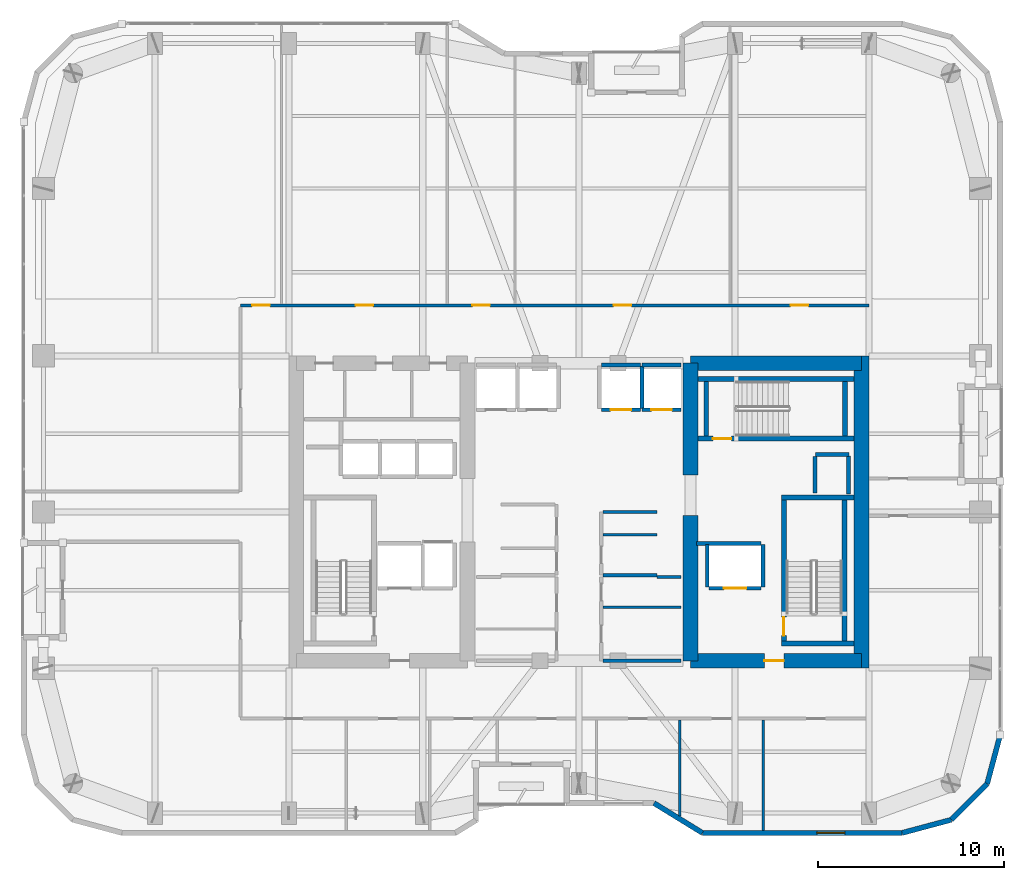
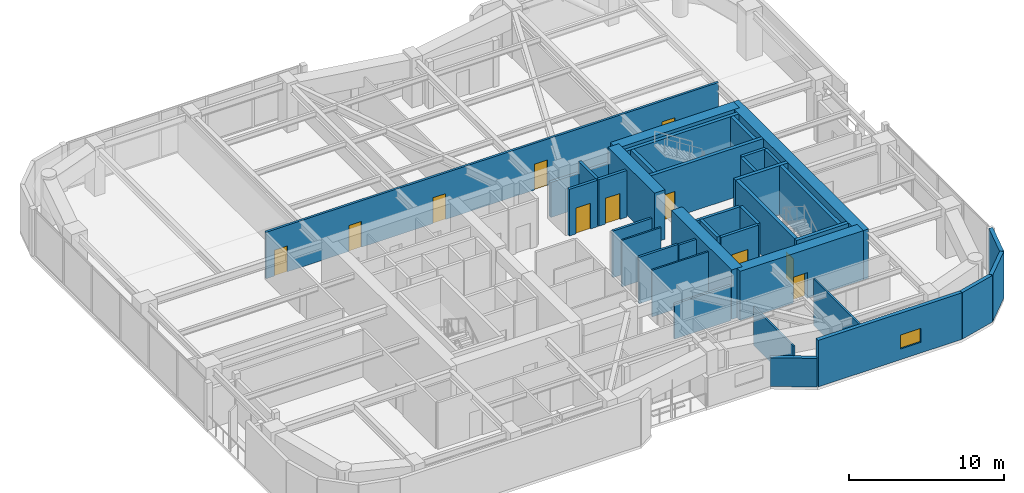
# One storey, part 26 of 30: 39 walls, 11 doors, 1 window, 12 openings.
"""IFC4 building model written with IfcOpenShell, lengths in metres."""

from ifc_helpers import new_model, si_unit, direction, frame, frame_2d, origin, place, context, subcontext, project, spatial, rectangle, extrude, material, layer, layer_set, type_object, element, fill, save


model = new_model("IFC4")

# Units and contexts
model_context = context("Model", 3, precision=1e-05, world=origin(), true_north=direction((0.0, 1.0)))
body_context = subcontext(model_context, "Body", "Model", "MODEL_VIEW")
ifc_project = project(units=[si_unit("LENGTHUNIT", "METRE"), si_unit("AREAUNIT", "SQUARE_METRE"), si_unit("VOLUMEUNIT", "CUBIC_METRE"), si_unit("PLANEANGLEUNIT", "RADIAN"), si_unit("MASSUNIT", "GRAM", prefix="KILO")], contexts=[model_context])

# Site, building, storey
site_placement = place(None, origin())
site = spatial("IfcSite", under=ifc_project, at=site_placement, CompositionType="ELEMENT")
building_placement = place(site_placement, origin())
building = spatial("IfcBuilding", under=site, at=building_placement, Name="Kiyonajd Concourse Tower", CompositionType="ELEMENT")
storey_placement = place(building_placement, frame((0.0, 0.0, 162.300048828125)))
storey = spatial("IfcBuildingStorey", under=building, at=storey_placement, Name="L41", CompositionType="ELEMENT", Elevation=162.300048828125)

# Walls
ifc_material_1 = material(Name="Concrete C70/85", Category="concrete")
ifc_layer_1 = layer(ifc_material_1, 0.800048828125)
ifc_layer_set_1 = layer_set([ifc_layer_1], Name="Concrete C70/85")
wall_type_1 = type_object("IfcWallType", Name="WL-CORE-800", PredefinedType="SHEAR", material=ifc_layer_set_1)
wall_1_placement = place(storey_placement, frame((54.0, 28.0, 0.0), z_axis=(0.0, 0.0, 1.0), x_axis=(0.0, 1.0, 0.0)))
element("IfcWall", 1, at=wall_1_placement, inside=storey, type_object=wall_type_1, Name="L41 East Core Inner South Shear Wall", PredefinedType="SHEAR", context=body_context, shape_type="SweptSolid", body=[
    extrude(rectangle(XDim=7.800048828125, YDim=0.800048828125, at=frame_2d((3.89990234375, 0.0))), origin(), (0.0, 0.0, 1.0), 3.89990234375),
])
wall_2_placement = place(storey_placement, frame((54.0, 38.0, 0.0), z_axis=(0.0, 0.0, 1.0), x_axis=(0.0, 1.0, 0.0)))
element("IfcWall", 2, at=wall_2_placement, inside=storey, type_object=wall_type_1, Name="L41 East Core Inner North Shear Wall", PredefinedType="SHEAR", context=body_context, shape_type="SweptSolid", body=[
    extrude(rectangle(XDim=6.0, YDim=0.800048828125, at=frame_2d((3.0, 0.0))), origin(), (0.0, 0.0, 1.0), 3.89990234375),
])
wall_3_placement = place(storey_placement, frame((63.199951171875, 27.60009765625, 0.0), z_axis=(0.0, 0.0, 1.0), x_axis=(0.0, 1.0, 0.0)))
element("IfcWall", 3, at=wall_3_placement, inside=storey, type_object=wall_type_1, Name="L41 East Core Outer Shear Wall", PredefinedType="SHEAR", context=body_context, shape_type="SweptSolid", body=[
    extrude(rectangle(XDim=16.7998046875, YDim=0.800048828125, at=frame_2d((8.39990234375, 0.0))), origin(), (0.0, 0.0, 1.0), 3.89990234375),
])

# Wall, opening, door
wall_4_placement = place(storey_placement, frame((54.0, 28.0, 0.0), z_axis=(0.0, 0.0, 1.0), x_axis=(1.0, 0.0, 0.0)))
wall_4 = element("IfcWall", 4, at=wall_4_placement, inside=storey, type_object=wall_type_1, Name="L41 East Core South Shear Wall", PredefinedType="SHEAR", context=body_context, shape_type="SweptSolid", body=[
    extrude(rectangle(XDim=9.199951171875, YDim=0.800048828125, at=frame_2d((4.60009765625, 0.0))), origin(), (0.0, 0.0, 1.0), 3.89990234375),
])
opening_1_placement = place(wall_4_placement, frame((3.97509765625, 0.0, 0.0)))
opening_1 = element("IfcOpeningElement", 5, at=opening_1_placement, cuts=wall_4, Name="Opening DF5", PredefinedType="OPENING", context=body_context, shape_type="SweptSolid", body=[
    extrude(rectangle(XDim=1.050048828125, YDim=2.0400390625, at=frame_2d((0.52490234375, 1.02001953125))), frame((0.0, 0.409912109375, 0.0), z_axis=(0.0, -1.0, 0.0), x_axis=(1.0, 0.0, 0.0)), (0.0, 0.0, 1.0), 0.820068359375),
])
ifc_material_2 = material(Name="Brushed Stainless Steel Cab Assembly", Category="steel")
door_type_1 = type_object("IfcDoorType", Name="DR-FD45-1050", OperationType="NOTDEFINED", PredefinedType="DOOR", material=ifc_material_2)
door_1_placement = place(opening_1_placement, origin())
door_1 = element("IfcDoor", 6, at=door_1_placement, inside=storey, type_object=door_type_1, Name="L41 Firefighting Lift Lobby E Smoke Door", OperationType="SINGLE_SWING_RIGHT", OverallHeight=2.0400390625, OverallWidth=1.050048828125, PredefinedType="DOOR", context=body_context, shape_type="SweptSolid", body=[
    extrude(rectangle(XDim=1.050048828125, YDim=2.0400390625, at=frame_2d((0.52490234375, 1.02001953125))), frame((0.0, 0.02490234375, 0.0), z_axis=(0.0, -1.0, 0.0), x_axis=(1.0, 0.0, 0.0)), (0.0, 0.0, 1.0), 0.050048828125),
])
fill(opening_1, door_1)

# Walls
wall_5_placement = place(storey_placement, frame((54.0, 44.0, 0.0), z_axis=(0.0, 0.0, 1.0), x_axis=(1.0, 0.0, 0.0)))
element("IfcWall", 7, at=wall_5_placement, inside=storey, type_object=wall_type_1, Name="L41 East Core North Shear Wall", PredefinedType="SHEAR", context=body_context, shape_type="SweptSolid", body=[
    extrude(rectangle(XDim=9.199951171875, YDim=0.800048828125, at=frame_2d((4.60009765625, 0.0))), origin(), (0.0, 0.0, 1.0), 3.89990234375),
])
ifc_material_3 = material(Name="Precast concrete C50/60", Category="concrete")
ifc_layer_2 = layer(ifc_material_3, 0.280029296875)
ifc_layer_set_2 = layer_set([ifc_layer_2], Name="Precast concrete C50/60")
wall_type_2 = type_object("IfcWallType", Name="WL-EXT-280", PredefinedType="SOLIDWALL", material=ifc_layer_set_2)
wall_6_placement = place(storey_placement, frame((70.659912109375, 24.018310546875, 0.0), z_axis=(0.0, 0.0, 1.0), x_axis=(-0.258672222976, -0.9659651552, 0.0)))
element("IfcWall", 8, at=wall_6_placement, inside=storey, type_object=wall_type_2, Name="L41 Exterior Concrete Frame Wall 25", PredefinedType="SOLIDWALL", context=body_context, shape_type="SweptSolid", body=[
    extrude(rectangle(XDim=2.739013671875, YDim=0.280029296875, at=frame_2d((1.36962890625, 0.0))), origin(), (0.0, 0.0, 1.0), 3.679931640625),
])
wall_7_placement = place(storey_placement, frame((69.951416015625, 21.37255859375, 0.0), z_axis=(0.0, 0.0, 1.0), x_axis=(-0.707061915429, -0.707151644098, 0.0)))
element("IfcWall", 9, at=wall_7_placement, inside=storey, type_object=wall_type_2, Name="L41 Exterior Concrete Frame Wall 26", PredefinedType="SOLIDWALL", context=body_context, shape_type="SweptSolid", body=[
    extrude(rectangle(XDim=2.720947265625, YDim=0.280029296875, at=frame_2d((1.3603515625, 0.0))), origin(), (0.0, 0.0, 1.0), 3.679931640625),
])
wall_8_placement = place(storey_placement, frame((68.027587890625, 19.448486328125, 0.0), z_axis=(0.0, 0.0, 1.0), x_axis=(-0.965971118627, -0.258649952598, 0.0)))
element("IfcWall", 10, at=wall_8_placement, inside=storey, type_object=wall_type_2, Name="L41 Exterior Concrete Frame Wall 27", PredefinedType="SOLIDWALL", context=body_context, shape_type="SweptSolid", body=[
    extrude(rectangle(XDim=2.7392578125, YDim=0.280029296875, at=frame_2d((1.36962890625, 0.0))), origin(), (0.0, 0.0, 1.0), 3.679931640625),
])

# Wall, opening, window
wall_9_placement = place(storey_placement, frame((65.381591796875, 18.739990234375, 0.0), z_axis=(0.0, 0.0, 1.0), x_axis=(-1.0, 0.0, 0.0)))
wall_9 = element("IfcWall", 11, at=wall_9_placement, inside=storey, type_object=wall_type_2, Name="L41 Exterior Concrete Frame Wall 28", PredefinedType="SOLIDWALL", context=body_context, shape_type="SweptSolid", body=[
    extrude(rectangle(XDim=10.741943359375, YDim=0.280029296875, at=frame_2d((5.37109375, 0.0))), origin(), (0.0, 0.0, 1.0), 3.679931640625),
])
opening_2_placement = place(wall_9_placement, frame((3.0810546875, 0.0, 0.85009765625)))
opening_2 = element("IfcOpeningElement", 12, at=opening_2_placement, cuts=wall_9, Name="Opening WN2", PredefinedType="OPENING", context=body_context, shape_type="SweptSolid", body=[
    extrude(rectangle(XDim=1.5, YDim=1.10009765625, at=frame_2d((0.75, 0.550048828125))), frame((0.0, 0.14990234375, 0.0), z_axis=(0.0, -1.0, 0.0), x_axis=(1.0, 0.0, 0.0)), (0.0, 0.0, 1.0), 0.300048828125),
])
ifc_material_4 = material(Name="Double Low-E Insulated Glass", Category="glass")
window_type = type_object("IfcWindowType", Name="WN-VIS-1500x1100", PartitioningType="SINGLE_PANEL", PredefinedType="WINDOW", material=ifc_material_4)
window_placement = place(opening_2_placement, origin())
window = element("IfcWindow", 13, at=window_placement, inside=storey, type_object=window_type, Name="L41 Modular Facade Vision Window 28", OverallHeight=1.10009765625, OverallWidth=1.5, PartitioningType="SINGLE_PANEL", PredefinedType="WINDOW", context=body_context, shape_type="SweptSolid", body=[
    extrude(rectangle(XDim=1.5, YDim=1.10009765625, at=frame_2d((0.75, 0.550048828125))), frame((0.0, 0.030029296875, 0.0), z_axis=(0.0, -1.0, 0.0), x_axis=(1.0, 0.0, 0.0)), (0.0, 0.0, 1.0), 0.06005859375),
])
fill(opening_2, window)

# Walls
wall_10_placement = place(storey_placement, frame((54.6396484375, 18.739990234375, 0.0), z_axis=(0.0, 0.0, 1.0), x_axis=(-0.851652825334, 0.524106349037, 0.0)))
element("IfcWall", 14, at=wall_10_placement, inside=storey, type_object=wall_type_2, Name="L41 Exterior Concrete Frame Wall 29", PredefinedType="SOLIDWALL", context=body_context, shape_type="SweptSolid", body=[
    extrude(rectangle(XDim=3.052978515625, YDim=0.280029296875, at=frame_2d((1.5263671875, 0.0))), origin(), (0.0, 0.0, 1.0), 2.264892578125),
])
ifc_material_5 = material(Name="Gypsum Board on Cold-Formed Steel Stud", Category="steel")
ifc_layer_3 = layer(ifc_material_5, 0.125)
ifc_layer_set_3 = layer_set([ifc_layer_3], Name="Gypsum Board on Cold-Formed Steel Stud")
wall_type_3 = type_object("IfcWallType", Name="WL-PART-125", PredefinedType="PARTITIONING", material=ifc_layer_set_3)
wall_11_placement = place(storey_placement, frame((49.287109375, 34.77587890625, 0.0), z_axis=(0.0, 0.0, 1.0), x_axis=(1.0, 0.0, 0.0)))
element("IfcWall", 15, at=wall_11_placement, inside=storey, type_object=wall_type_3, Name="L41 Interior Partition Wall", PredefinedType="PARTITIONING", context=body_context, shape_type="SweptSolid", body=[
    extrude(rectangle(XDim=2.912841796875, YDim=0.125, at=frame_2d((1.45654296875, 0.0))), origin(), (0.0, 0.0, 1.0), 3.679931640625),
])
wall_12_placement = place(storey_placement, frame((49.287109375, 30.8798828125, 0.0), z_axis=(0.0, 0.0, 1.0), x_axis=(1.0, 0.0, 0.0)))
element("IfcWall", 16, at=wall_12_placement, inside=storey, type_object=wall_type_3, Name="L41 Interior Partition Wall", PredefinedType="PARTITIONING", context=body_context, shape_type="SweptSolid", body=[
    extrude(rectangle(XDim=4.212890625, YDim=0.125, at=frame_2d((2.1064453125, 0.0))), origin(), (0.0, 0.0, 1.0), 3.679931640625),
])
wall_13_placement = place(storey_placement, frame((53.429931640625, 19.653076171875, 0.0), z_axis=(0.0, 0.0, 1.0), x_axis=(0.0, 1.0, 0.0)))
element("IfcWall", 17, at=wall_13_placement, inside=storey, type_object=wall_type_3, Name="L41 Interior Partition Wall", PredefinedType="PARTITIONING", context=body_context, shape_type="SweptSolid", body=[
    extrude(rectangle(XDim=5.14990234375, YDim=0.125, at=frame_2d((2.574951171875, 0.0))), origin(), (0.0, 0.0, 1.0), 3.04296875),
])
wall_14_placement = place(storey_placement, frame((57.909912109375, 18.875, 0.0), z_axis=(0.0, 0.0, 1.0), x_axis=(0.0, 1.0, 0.0)))
element("IfcWall", 18, at=wall_14_placement, inside=storey, type_object=wall_type_3, Name="L41 Interior Partition Wall", PredefinedType="PARTITIONING", context=body_context, shape_type="SweptSolid", body=[
    extrude(rectangle(XDim=5.927978515625, YDim=0.125, at=frame_2d((2.9638671875, 0.0))), origin(), (0.0, 0.0, 1.0), 3.679931640625),
])
ifc_layer_4 = layer(ifc_material_5, 0.2099609375)
ifc_layer_set_4 = layer_set([ifc_layer_4], Name="Gypsum Board on Cold-Formed Steel Stud")
wall_type_4 = type_object("IfcWallType", Name="WL-SHAFT-210", PredefinedType="PARTITIONING", material=ifc_layer_set_4)
wall_15_placement = place(storey_placement, frame((60.719970703125, 39.10009765625, 0.0), z_axis=(0.0, 0.0, 1.0), x_axis=(1.0, 0.0, 0.0)))
element("IfcWall", 19, at=wall_15_placement, inside=storey, type_object=wall_type_4, Name="L41 Shaft Enclosure Wall", PredefinedType="PARTITIONING", context=body_context, shape_type="SweptSolid", body=[
    extrude(rectangle(XDim=1.800048828125, YDim=0.2099609375, at=frame_2d((0.89990234375, 0.0))), origin(), (0.0, 0.0, 1.0), 3.679931640625),
])
wall_16_placement = place(storey_placement, frame((60.699951171875, 37.02001953125, 0.0), z_axis=(0.0, 0.0, 1.0), x_axis=(0.0, 1.0, 0.0)))
element("IfcWall", 20, at=wall_16_placement, inside=storey, type_object=wall_type_4, Name="L41 Shaft Enclosure Wall", PredefinedType="PARTITIONING", context=body_context, shape_type="SweptSolid", body=[
    extrude(rectangle(XDim=1.9599609375, YDim=0.2099609375, at=frame_2d((0.97998046875, 0.0))), origin(), (0.0, 0.0, 1.0), 3.679931640625),
])
wall_17_placement = place(storey_placement, frame((62.5, 36.97998046875, 0.0), z_axis=(0.0, 0.0, 1.0), x_axis=(0.0, 1.0, 0.0)))
element("IfcWall", 21, at=wall_17_placement, inside=storey, type_object=wall_type_4, Name="L41 Shaft Enclosure Wall", PredefinedType="PARTITIONING", context=body_context, shape_type="SweptSolid", body=[
    extrude(rectangle(XDim=2.0400390625, YDim=0.2099609375, at=frame_2d((1.02001953125, 0.0))), origin(), (0.0, 0.0, 1.0), 3.679931640625),
])

# Wall, opening, door
wall_18_placement = place(storey_placement, frame((55.0, 31.89990234375, 0.0), z_axis=(0.0, 0.0, 1.0), x_axis=(1.0, 0.0, 0.0)))
wall_18 = element("IfcWall", 22, at=wall_18_placement, inside=storey, type_object=wall_type_4, Name="L41 Shaft Enclosure Wall", PredefinedType="PARTITIONING", context=body_context, shape_type="SweptSolid", body=[
    extrude(rectangle(XDim=2.800048828125, YDim=0.2099609375, at=frame_2d((1.39990234375, 0.0))), origin(), (0.0, 0.0, 1.0), 3.679931640625),
])
opening_3_placement = place(wall_18_placement, frame((0.800048828125, 0.0, 0.0)))
opening_3 = element("IfcOpeningElement", 23, at=opening_3_placement, cuts=wall_18, Name="Opening LD2", PredefinedType="OPENING", context=body_context, shape_type="SweptSolid", body=[
    extrude(rectangle(XDim=1.199951171875, YDim=2.0400390625, at=frame_2d((0.60009765625, 1.02001953125))), frame((0.0, 0.114990234375, 0.0), z_axis=(0.0, -1.0, 0.0), x_axis=(1.0, 0.0, 0.0)), (0.0, 0.0, 1.0), 0.22998046875),
])
door_type_2 = type_object("IfcDoorType", Name="DR-LD-1200", OperationType="DOUBLE_DOOR_SLIDING", PredefinedType="DOOR", material=ifc_material_2)
door_2_placement = place(opening_3_placement, origin())
door_2 = element("IfcDoor", 24, at=door_2_placement, inside=storey, type_object=door_type_2, Name="L41 Lift FFL2 Sliding Landing Door", OperationType="DOUBLE_DOOR_SLIDING", OverallHeight=2.0400390625, OverallWidth=1.199951171875, PredefinedType="DOOR", context=body_context, shape_type="SweptSolid", body=[
    extrude(rectangle(XDim=1.199951171875, YDim=2.0400390625, at=frame_2d((0.60009765625, 1.02001953125))), frame((0.0, 0.02490234375, 0.0), z_axis=(0.0, -1.0, 0.0), x_axis=(1.0, 0.0, 0.0)), (0.0, 0.0, 1.0), 0.050048828125),
])
fill(opening_3, door_2)

# Walls
wall_19_placement = place(storey_placement, frame((54.320068359375, 34.300048828125, 0.0), z_axis=(0.0, 0.0, 1.0), x_axis=(1.0, 0.0, 0.0)))
element("IfcWall", 25, at=wall_19_placement, inside=storey, type_object=wall_type_4, Name="L41 Shaft Enclosure Wall", PredefinedType="PARTITIONING", context=body_context, shape_type="SweptSolid", body=[
    extrude(rectangle(XDim=3.47998046875, YDim=0.2099609375, at=frame_2d((1.739990234375, 0.0))), origin(), (0.0, 0.0, 1.0), 3.679931640625),
])
for number, where, z_axis, x_axis, name in (
    (26, (54.89990234375, 31.9599609375, 0.0), (0.0, 0.0, 1.0), (0.0, 1.0, 0.0), "L41 Shaft Enclosure Wall"),
    (27, (57.89990234375, 31.9599609375, 0.0), (0.0, 0.0, 1.0), (0.0, 1.0, 0.0), "L41 Shaft Enclosure Wall"),
):
    element("IfcWall", number, at=place(storey_placement, frame(where, z_axis=z_axis, x_axis=x_axis)), inside=storey, type_object=wall_type_4, Name=name, PredefinedType="PARTITIONING", context=body_context, shape_type="SweptSolid", body=[
        extrude(rectangle(XDim=2.280029296875, YDim=0.2099609375, at=frame_2d((1.14013671875, 0.0))), origin(), (0.0, 0.0, 1.0), 3.679931640625),
    ])

# Wall, opening, door
wall_20_placement = place(storey_placement, frame((49.199951171875, 41.5, 0.0), z_axis=(0.0, 0.0, 1.0), x_axis=(1.0, 0.0, 0.0)))
wall_20 = element("IfcWall", 28, at=wall_20_placement, inside=storey, type_object=wall_type_4, Name="L41 Shaft Enclosure Wall", PredefinedType="PARTITIONING", context=body_context, shape_type="SweptSolid", body=[
    extrude(rectangle(XDim=2.10009765625, YDim=0.2099609375, at=frame_2d((1.050048828125, 0.0))), origin(), (0.0, 0.0, 1.0), 3.679931640625),
])
opening_4_placement = place(wall_20_placement, frame((0.5, 0.0, 0.0)))
opening_4 = element("IfcOpeningElement", 29, at=opening_4_placement, cuts=wall_20, Name="Opening LD1", PredefinedType="OPENING", context=body_context, shape_type="SweptSolid", body=[
    extrude(rectangle(XDim=1.10009765625, YDim=2.0400390625, at=frame_2d((0.550048828125, 1.02001953125))), frame((0.0, 0.114990234375, 0.0), z_axis=(0.0, -1.0, 0.0), x_axis=(1.0, 0.0, 0.0)), (0.0, 0.0, 1.0), 0.22998046875),
])
door_type_3 = type_object("IfcDoorType", Name="DR-LD-1100", OperationType="DOUBLE_DOOR_SLIDING", PredefinedType="DOOR", material=ifc_material_2)
door_3_placement = place(opening_4_placement, origin())
door_3 = element("IfcDoor", 30, at=door_3_placement, inside=storey, type_object=door_type_3, Name="L41 Lift PL-M3 Sliding Landing Door", OperationType="DOUBLE_DOOR_SLIDING", OverallHeight=2.0400390625, OverallWidth=1.10009765625, PredefinedType="DOOR", context=body_context, shape_type="SweptSolid", body=[
    extrude(rectangle(XDim=1.10009765625, YDim=2.0400390625, at=frame_2d((0.550048828125, 1.02001953125))), frame((0.0, 0.02490234375, 0.0), z_axis=(0.0, -1.0, 0.0), x_axis=(1.0, 0.0, 0.0)), (0.0, 0.0, 1.0), 0.050048828125),
])
fill(opening_4, door_3)

# Walls
wall_21_placement = place(storey_placement, frame((49.199951171875, 43.89990234375, 0.0), z_axis=(0.0, 0.0, 1.0), x_axis=(1.0, 0.0, 0.0)))
element("IfcWall", 31, at=wall_21_placement, inside=storey, type_object=wall_type_4, Name="L41 Shaft Enclosure Wall", PredefinedType="PARTITIONING", context=body_context, shape_type="SweptSolid", body=[
    extrude(rectangle(XDim=2.10009765625, YDim=0.2099609375, at=frame_2d((1.050048828125, 0.0))), origin(), (0.0, 0.0, 1.0), 2.764892578125),
])
wall_22_placement = place(storey_placement, frame((51.39990234375, 41.56005859375, 0.0), z_axis=(0.0, 0.0, 1.0), x_axis=(0.0, 1.0, 0.0)))
element("IfcWall", 32, at=wall_22_placement, inside=storey, type_object=wall_type_4, Name="L41 Shaft Enclosure Wall", PredefinedType="PARTITIONING", context=body_context, shape_type="SweptSolid", body=[
    extrude(rectangle(XDim=2.280029296875, YDim=0.2099609375, at=frame_2d((1.14013671875, 0.0))), origin(), (0.0, 0.0, 1.0), 3.679931640625),
])

# Wall, opening, door
wall_23_placement = place(storey_placement, frame((51.39990234375, 41.5, 0.0), z_axis=(0.0, 0.0, 1.0), x_axis=(1.0, 0.0, 0.0)))
wall_23 = element("IfcWall", 33, at=wall_23_placement, inside=storey, type_object=wall_type_4, Name="L41 Shaft Enclosure Wall", PredefinedType="PARTITIONING", context=body_context, shape_type="SweptSolid", body=[
    extrude(rectangle(XDim=2.10009765625, YDim=0.2099609375, at=frame_2d((1.050048828125, 0.0))), origin(), (0.0, 0.0, 1.0), 3.679931640625),
])
opening_5_placement = place(wall_23_placement, frame((0.5, 0.0, 0.0)))
opening_5 = element("IfcOpeningElement", 34, at=opening_5_placement, cuts=wall_23, Name="Opening LD1", PredefinedType="OPENING", context=body_context, shape_type="SweptSolid", body=[
    extrude(rectangle(XDim=1.10009765625, YDim=2.0400390625, at=frame_2d((0.550048828125, 1.02001953125))), frame((0.0, 0.114990234375, 0.0), z_axis=(0.0, -1.0, 0.0), x_axis=(1.0, 0.0, 0.0)), (0.0, 0.0, 1.0), 0.22998046875),
])
door_4_placement = place(opening_5_placement, origin())
door_4 = element("IfcDoor", 35, at=door_4_placement, inside=storey, type_object=door_type_3, Name="L41 Lift PL-M4 Sliding Landing Door", OperationType="DOUBLE_DOOR_SLIDING", OverallHeight=2.0400390625, OverallWidth=1.10009765625, PredefinedType="DOOR", context=body_context, shape_type="SweptSolid", body=[
    extrude(rectangle(XDim=1.10009765625, YDim=2.0400390625, at=frame_2d((0.550048828125, 1.02001953125))), frame((0.0, 0.02490234375, 0.0), z_axis=(0.0, -1.0, 0.0), x_axis=(1.0, 0.0, 0.0)), (0.0, 0.0, 1.0), 0.050048828125),
])
fill(opening_5, door_4)

# Walls
wall_24_placement = place(storey_placement, frame((51.39990234375, 43.89990234375, 0.0), z_axis=(0.0, 0.0, 1.0), x_axis=(1.0, 0.0, 0.0)))
element("IfcWall", 36, at=wall_24_placement, inside=storey, type_object=wall_type_4, Name="L41 Shaft Enclosure Wall", PredefinedType="PARTITIONING", context=body_context, shape_type="SweptSolid", body=[
    extrude(rectangle(XDim=2.10009765625, YDim=0.2099609375, at=frame_2d((1.050048828125, 0.0))), origin(), (0.0, 0.0, 1.0), 2.764892578125),
])
ifc_layer_5 = layer(ifc_material_5, 0.169921875)
ifc_layer_set_5 = layer_set([ifc_layer_5], Name="Gypsum Board on Cold-Formed Steel Stud")
wall_type_5 = type_object("IfcWallType", Name="WL-SMK-170", PredefinedType="PARTITIONING", material=ifc_layer_set_5)
for number, where, z_axis, x_axis, name in (
    (37, (49.287109375, 32.60009765625, 0.0), (0.0, 0.0, 1.0), (1.0, 0.0, 0.0), "L41 Interior Partition Wall"),
    (38, (49.287109375, 36.0, 0.0), (0.0, 0.0, 1.0), (1.0, 0.0, 0.0), "L41 Interior Partition Wall"),
):
    element("IfcWall", number, at=place(storey_placement, frame(where, z_axis=z_axis, x_axis=x_axis)), inside=storey, type_object=wall_type_5, Name=name, PredefinedType="PARTITIONING", context=body_context, shape_type="SweptSolid", body=[
        extrude(rectangle(XDim=2.912841796875, YDim=0.169921875, at=frame_2d((1.45654296875, 0.0))), origin(), (0.0, 0.0, 1.0), 3.679931640625),
    ])
wall_25_placement = place(storey_placement, frame((49.287109375, 28.0, 0.0), z_axis=(0.0, 0.0, 1.0), x_axis=(1.0, 0.0, 0.0)))
element("IfcWall", 39, at=wall_25_placement, inside=storey, type_object=wall_type_5, Name="L41 Interior Partition Wall", PredefinedType="PARTITIONING", context=body_context, shape_type="SweptSolid", body=[
    extrude(rectangle(XDim=4.212890625, YDim=0.169921875, at=frame_2d((2.1064453125, 0.0))), origin(), (0.0, 0.0, 1.0), 2.764892578125),
])
wall_26_placement = place(storey_placement, frame((52.199951171875, 32.5, 0.0), z_axis=(0.0, 0.0, 1.0), x_axis=(1.0, 0.0, 0.0)))
element("IfcWall", 40, at=wall_26_placement, inside=storey, type_object=wall_type_5, Name="L41 Interior Partition Wall", PredefinedType="PARTITIONING", context=body_context, shape_type="SweptSolid", body=[
    extrude(rectangle(XDim=1.300048828125, YDim=0.169921875, at=frame_2d((0.64990234375, 0.0))), origin(), (0.0, 0.0, 1.0), 3.679931640625),
])

# Wall, openings, doors
wall_27_placement = place(storey_placement, frame((29.800048828125, 47.110107421875, 0.0), z_axis=(0.0, 0.0, 1.0), x_axis=(1.0, 0.0, 0.0)))
wall_27 = element("IfcWall", 41, at=wall_27_placement, inside=storey, type_object=wall_type_5, Name="L41 Interior Partition Wall", PredefinedType="PARTITIONING", context=body_context, shape_type="SweptSolid", body=[
    extrude(rectangle(XDim=33.800048828125, YDim=0.169921875, at=frame_2d((16.89990234375, 0.0))), origin(), (0.0, 0.0, 1.0), 3.679931640625),
])
opening_6_placement = place(wall_27_placement, frame((0.625, 0.0, 0.0)))
opening_6 = element("IfcOpeningElement", 42, at=opening_6_placement, cuts=wall_27, Name="Opening DI1", PredefinedType="OPENING", context=body_context, shape_type="SweptSolid", body=[
    extrude(rectangle(XDim=0.949951171875, YDim=2.0400390625, at=frame_2d((0.47509765625, 1.02001953125))), frame((0.0, 0.094970703125, 0.0), z_axis=(0.0, -1.0, 0.0), x_axis=(1.0, 0.0, 0.0)), (0.0, 0.0, 1.0), 0.18994140625),
])
opening_7_placement = place(wall_27_placement, frame((6.18505859375, 0.0, 0.0)))
opening_7 = element("IfcOpeningElement", 43, at=opening_7_placement, cuts=wall_27, Name="Opening DI1", PredefinedType="OPENING", context=body_context, shape_type="SweptSolid", body=[
    extrude(rectangle(XDim=0.949951171875, YDim=2.0400390625, at=frame_2d((0.47509765625, 1.02001953125))), frame((0.0, 0.094970703125, 0.0), z_axis=(0.0, -1.0, 0.0), x_axis=(1.0, 0.0, 0.0)), (0.0, 0.0, 1.0), 0.18994140625),
])
opening_8_placement = place(wall_27_placement, frame((12.465087890625, 0.0, 0.0)))
opening_8 = element("IfcOpeningElement", 44, at=opening_8_placement, cuts=wall_27, Name="Opening DI1", PredefinedType="OPENING", context=body_context, shape_type="SweptSolid", body=[
    extrude(rectangle(XDim=0.949951171875, YDim=2.0400390625, at=frame_2d((0.47509765625, 1.02001953125))), frame((0.0, 0.094970703125, 0.0), z_axis=(0.0, -1.0, 0.0), x_axis=(1.0, 0.0, 0.0)), (0.0, 0.0, 1.0), 0.18994140625),
])
opening_9_placement = place(wall_27_placement, frame((20.06494140625, 0.0, 0.0)))
opening_9 = element("IfcOpeningElement", 45, at=opening_9_placement, cuts=wall_27, Name="Opening DI1", PredefinedType="OPENING", context=body_context, shape_type="SweptSolid", body=[
    extrude(rectangle(XDim=0.949951171875, YDim=2.0400390625, at=frame_2d((0.47509765625, 1.02001953125))), frame((0.0, 0.094970703125, 0.0), z_axis=(0.0, -1.0, 0.0), x_axis=(1.0, 0.0, 0.0)), (0.0, 0.0, 1.0), 0.18994140625),
])
opening_10_placement = place(wall_27_placement, frame((29.5849609375, 0.0, 0.0)))
opening_10 = element("IfcOpeningElement", 46, at=opening_10_placement, cuts=wall_27, Name="Opening DI1", PredefinedType="OPENING", context=body_context, shape_type="SweptSolid", body=[
    extrude(rectangle(XDim=0.949951171875, YDim=2.0400390625, at=frame_2d((0.47509765625, 1.02001953125))), frame((0.0, 0.094970703125, 0.0), z_axis=(0.0, -1.0, 0.0), x_axis=(1.0, 0.0, 0.0)), (0.0, 0.0, 1.0), 0.18994140625),
])
ifc_material_6 = material(Name="Natural Oak Acoustic Timber Veneer", Category="wood")
door_type_4 = type_object("IfcDoorType", Name="DR-INT-950", OperationType="NOTDEFINED", PredefinedType="DOOR", material=ifc_material_6)
door_5_placement = place(opening_6_placement, origin())
door_5 = element("IfcDoor", 47, at=door_5_placement, inside=storey, type_object=door_type_4, Name="L41 Interior Door", OperationType="SINGLE_SWING_LEFT", OverallHeight=2.0400390625, OverallWidth=0.949951171875, PredefinedType="DOOR", context=body_context, shape_type="SweptSolid", body=[
    extrude(rectangle(XDim=0.949951171875, YDim=2.0400390625, at=frame_2d((0.47509765625, 1.02001953125))), frame((0.0, 0.02490234375, 0.0), z_axis=(0.0, -1.0, 0.0), x_axis=(1.0, 0.0, 0.0)), (0.0, 0.0, 1.0), 0.050048828125),
])
fill(opening_6, door_5)
door_6_placement = place(opening_7_placement, origin())
door_6 = element("IfcDoor", 48, at=door_6_placement, inside=storey, type_object=door_type_4, Name="L41 Interior Door", OperationType="SINGLE_SWING_RIGHT", OverallHeight=2.0400390625, OverallWidth=0.949951171875, PredefinedType="DOOR", context=body_context, shape_type="SweptSolid", body=[
    extrude(rectangle(XDim=0.949951171875, YDim=2.0400390625, at=frame_2d((0.47509765625, 1.02001953125))), frame((0.0, 0.02490234375, 0.0), z_axis=(0.0, -1.0, 0.0), x_axis=(1.0, 0.0, 0.0)), (0.0, 0.0, 1.0), 0.050048828125),
])
fill(opening_7, door_6)
door_7_placement = place(opening_8_placement, origin())
door_7 = element("IfcDoor", 49, at=door_7_placement, inside=storey, type_object=door_type_4, Name="L41 Interior Door", OperationType="SINGLE_SWING_LEFT", OverallHeight=2.0400390625, OverallWidth=0.949951171875, PredefinedType="DOOR", context=body_context, shape_type="SweptSolid", body=[
    extrude(rectangle(XDim=0.949951171875, YDim=2.0400390625, at=frame_2d((0.47509765625, 1.02001953125))), frame((0.0, 0.02490234375, 0.0), z_axis=(0.0, -1.0, 0.0), x_axis=(1.0, 0.0, 0.0)), (0.0, 0.0, 1.0), 0.050048828125),
])
fill(opening_8, door_7)
door_8_placement = place(opening_9_placement, origin())
door_8 = element("IfcDoor", 50, at=door_8_placement, inside=storey, type_object=door_type_4, Name="L41 Interior Door", OperationType="SINGLE_SWING_RIGHT", OverallHeight=2.0400390625, OverallWidth=0.949951171875, PredefinedType="DOOR", context=body_context, shape_type="SweptSolid", body=[
    extrude(rectangle(XDim=0.949951171875, YDim=2.0400390625, at=frame_2d((0.47509765625, 1.02001953125))), frame((0.0, 0.02490234375, 0.0), z_axis=(0.0, -1.0, 0.0), x_axis=(1.0, 0.0, 0.0)), (0.0, 0.0, 1.0), 0.050048828125),
])
fill(opening_9, door_8)
door_9_placement = place(opening_10_placement, origin())
door_9 = element("IfcDoor", 51, at=door_9_placement, inside=storey, type_object=door_type_4, Name="L41 Interior Door", OperationType="SINGLE_SWING_LEFT", OverallHeight=2.0400390625, OverallWidth=0.949951171875, PredefinedType="DOOR", context=body_context, shape_type="SweptSolid", body=[
    extrude(rectangle(XDim=0.949951171875, YDim=2.0400390625, at=frame_2d((0.47509765625, 1.02001953125))), frame((0.0, 0.02490234375, 0.0), z_axis=(0.0, -1.0, 0.0), x_axis=(1.0, 0.0, 0.0)), (0.0, 0.0, 1.0), 0.050048828125),
])
fill(opening_10, door_9)

# Walls
ifc_material_7 = material(Name="Concrete C50/60", Category="concrete")
ifc_layer_6 = layer(ifc_material_7, 0.260009765625)
ifc_layer_set_6 = layer_set([ifc_layer_6], Name="Concrete C50/60")
wall_type_6 = type_object("IfcWallType", Name="WL-STAIR-260", PredefinedType="SHEAR", material=ifc_layer_set_6)
for number, where, z_axis, x_axis, name in (
    (52, (58.889892578125, 28.919921875, 0.0), (0.0, 0.0, 1.0), (1.0, 0.0, 0.0), "L41 Stair ST2 Structural South Wall"),
    (53, (58.889892578125, 36.780029296875, 0.0), (0.0, 0.0, 1.0), (1.0, 0.0, 0.0), "L41 Stair ST2 Structural North Wall"),
):
    element("IfcWall", number, at=place(storey_placement, frame(where, z_axis=z_axis, x_axis=x_axis)), inside=storey, type_object=wall_type_6, Name=name, PredefinedType="SHEAR", context=body_context, shape_type="SweptSolid", body=[
        extrude(rectangle(XDim=3.91015625, YDim=0.260009765625, at=frame_2d((1.955078125, 0.0))), origin(), (0.0, 0.0, 1.0), 3.89990234375),
    ])

# Wall, opening, door
wall_28_placement = place(storey_placement, frame((59.02001953125, 29.050048828125, 0.0), z_axis=(0.0, 0.0, 1.0), x_axis=(0.0, 1.0, 0.0)))
wall_28 = element("IfcWall", 54, at=wall_28_placement, inside=storey, type_object=wall_type_6, Name="L41 Stair ST2 Structural West Wall", PredefinedType="SHEAR", context=body_context, shape_type="SweptSolid", body=[
    extrude(rectangle(XDim=7.599853515625, YDim=0.260009765625, at=frame_2d((3.7998046875, 0.0))), origin(), (0.0, 0.0, 1.0), 3.89990234375),
])
opening_11_placement = place(wall_28_placement, frame((0.300048828125, 0.0, 0.0)))
opening_11 = element("IfcOpeningElement", 55, at=opening_11_placement, cuts=wall_28, Name="Opening DF1", PredefinedType="OPENING", context=body_context, shape_type="SweptSolid", body=[
    extrude(rectangle(XDim=1.0, YDim=2.0400390625, at=frame_2d((0.5, 1.02001953125))), frame((0.0, 0.139892578125, 0.0), z_axis=(0.0, -1.0, 0.0), x_axis=(1.0, 0.0, 0.0)), (0.0, 0.0, 1.0), 0.280029296875),
])
door_type_5 = type_object("IfcDoorType", Name="DR-FD90-1000", OperationType="NOTDEFINED", PredefinedType="DOOR", material=ifc_material_2)
door_10_placement = place(opening_11_placement, origin())
door_10 = element("IfcDoor", 56, at=door_10_placement, inside=storey, type_object=door_type_5, Name="L41 Stair ST2 FSAE Door", OperationType="SINGLE_SWING_RIGHT", OverallHeight=2.0400390625, OverallWidth=1.0, PredefinedType="DOOR", context=body_context, shape_type="SweptSolid", body=[
    extrude(rectangle(XDim=1.0, YDim=2.0400390625, at=frame_2d((0.5, 1.02001953125))), frame((0.0, 0.02490234375, 0.0), z_axis=(0.0, -1.0, 0.0), x_axis=(1.0, 0.0, 0.0)), (0.0, 0.0, 1.0), 0.050048828125),
])
fill(opening_11, door_10)

# Wall
wall_29_placement = place(storey_placement, frame((62.280029296875, 29.050048828125, 0.0), z_axis=(0.0, 0.0, 1.0), x_axis=(0.0, 1.0, 0.0)))
element("IfcWall", 57, at=wall_29_placement, inside=storey, type_object=wall_type_6, Name="L41 Stair ST2 Structural East Wall", PredefinedType="SHEAR", context=body_context, shape_type="SweptSolid", body=[
    extrude(rectangle(XDim=7.599853515625, YDim=0.260009765625, at=frame_2d((3.7998046875, 0.0))), origin(), (0.0, 0.0, 1.0), 3.89990234375),
])

# Wall, opening, door
wall_30_placement = place(storey_placement, frame((54.39990234375, 39.949951171875, 0.0), z_axis=(0.0, 0.0, 1.0), x_axis=(1.0, 0.0, 0.0)))
wall_30 = element("IfcWall", 58, at=wall_30_placement, inside=storey, type_object=wall_type_6, Name="L41 Stair ST3 Structural South Wall", PredefinedType="SHEAR", context=body_context, shape_type="SweptSolid", body=[
    extrude(rectangle(XDim=8.400146484375, YDim=0.260009765625, at=frame_2d((4.2001953125, 0.0))), origin(), (0.0, 0.0, 1.0), 3.89990234375),
])
opening_12_placement = place(wall_30_placement, frame((0.800048828125, 0.0, 0.0)))
opening_12 = element("IfcOpeningElement", 59, at=opening_12_placement, cuts=wall_30, Name="Opening DF1", PredefinedType="OPENING", context=body_context, shape_type="SweptSolid", body=[
    extrude(rectangle(XDim=1.0, YDim=2.0400390625, at=frame_2d((0.5, 1.02001953125))), frame((0.0, 0.139892578125, 0.0), z_axis=(0.0, -1.0, 0.0), x_axis=(1.0, 0.0, 0.0)), (0.0, 0.0, 1.0), 0.280029296875),
])
door_11_placement = place(opening_12_placement, origin())
door_11 = element("IfcDoor", 60, at=door_11_placement, inside=storey, type_object=door_type_5, Name="L41 Stair ST3 Enclosure Door", OperationType="SINGLE_SWING_LEFT", OverallHeight=2.0400390625, OverallWidth=1.0, PredefinedType="DOOR", context=body_context, shape_type="SweptSolid", body=[
    extrude(rectangle(XDim=1.0, YDim=2.0400390625, at=frame_2d((0.5, 1.02001953125))), frame((0.0, 0.02490234375, 0.0), z_axis=(0.0, -1.0, 0.0), x_axis=(1.0, 0.0, 0.0)), (0.0, 0.0, 1.0), 0.050048828125),
])
fill(opening_12, door_11)

# Walls
wall_31_placement = place(storey_placement, frame((54.39990234375, 43.14990234375, 0.0), z_axis=(0.0, 0.0, 1.0), x_axis=(1.0, 0.0, 0.0)))
element("IfcWall", 61, at=wall_31_placement, inside=storey, type_object=wall_type_6, Name="L41 Stair ST3 Structural North Wall", PredefinedType="SHEAR", context=body_context, shape_type="SweptSolid", body=[
    extrude(rectangle(XDim=8.400146484375, YDim=0.260009765625, at=frame_2d((4.2001953125, 0.0))), origin(), (0.0, 0.0, 1.0), 3.89990234375),
])
for number, where, z_axis, x_axis, name in (
    (62, (54.85009765625, 40.080078125, 0.0), (0.0, 0.0, 1.0), (0.0, 1.0, 0.0), "L41 Stair ST3 Structural West Wall"),
    (63, (62.31005859375, 40.080078125, 0.0), (0.0, 0.0, 1.0), (0.0, 1.0, 0.0), "L41 Stair ST3 Structural East Wall"),
):
    element("IfcWall", number, at=place(storey_placement, frame(where, z_axis=z_axis, x_axis=x_axis)), inside=storey, type_object=wall_type_6, Name=name, PredefinedType="SHEAR", context=body_context, shape_type="SweptSolid", body=[
        extrude(rectangle(XDim=2.93994140625, YDim=0.260009765625, at=frame_2d((1.469970703125, 0.0))), origin(), (0.0, 0.0, 1.0), 3.89990234375),
    ])

save(model, "model.ifc")
